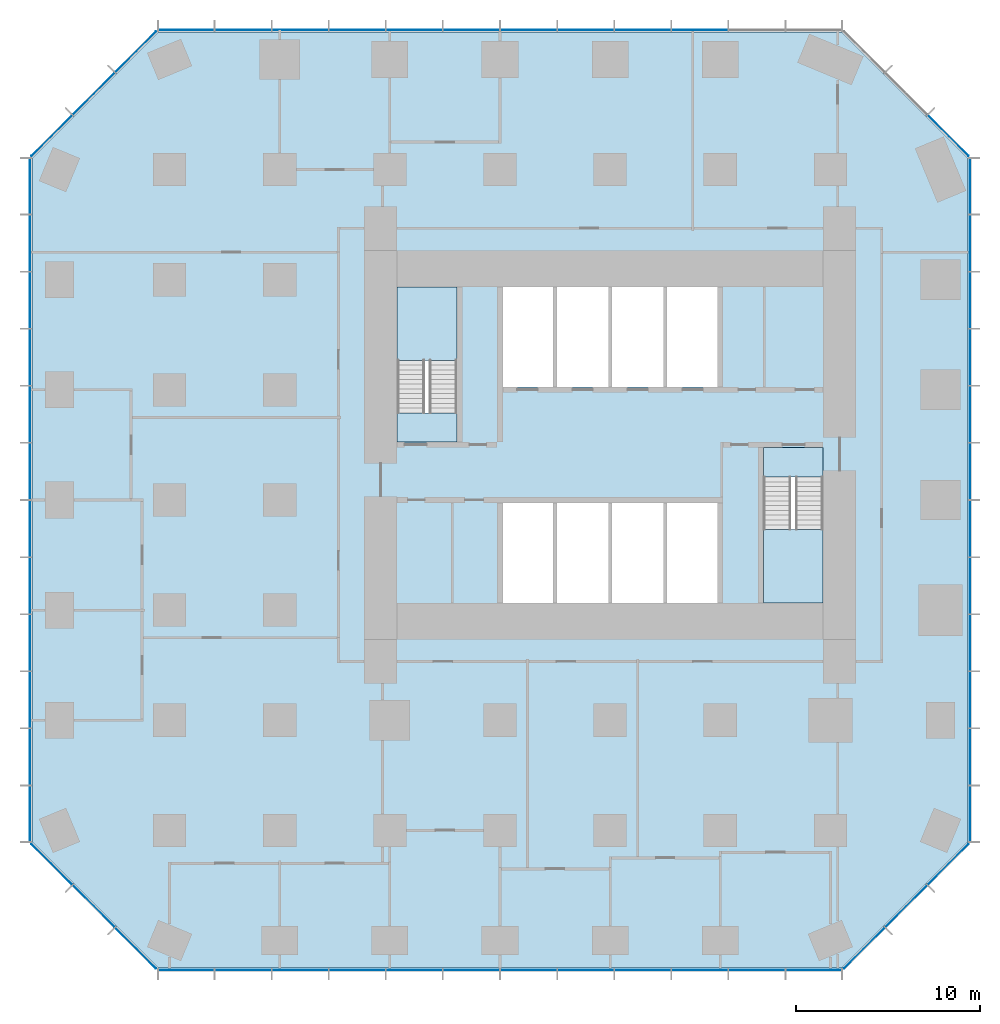
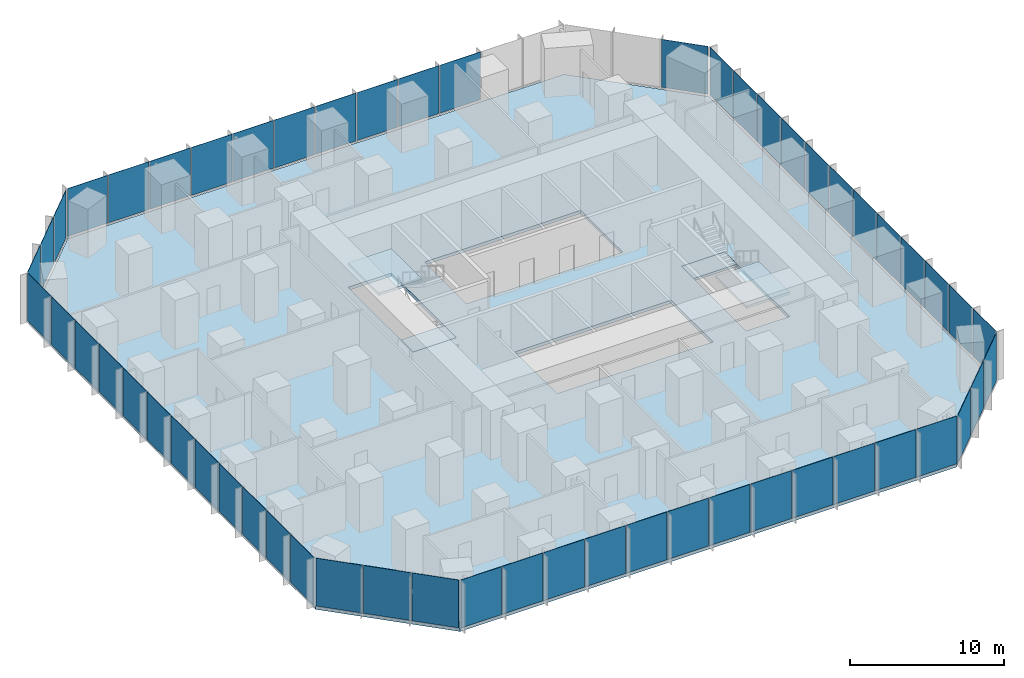
# One storey, part 7 of 12: 56 plates, 5 slabs, 10 elements without a shape of their own.
"""IFC4 building model written with IfcOpenShell, lengths in metres."""

from ifc_helpers import new_model, si_unit, direction, frame, origin, origin_2d, place, context, subcontext, project, spatial, polyline, rectangle, outline, extrude, material, layer, layer_set, type_object, element, aggregate, save


model = new_model("IFC4")

# Units and contexts
model_context = context("Model", 3, precision=1e-05, world=origin(), true_north=direction((0.0, 1.0)))
body_context = subcontext(model_context, "Body", "Model", "MODEL_VIEW")
ifc_project = project(units=[si_unit("LENGTHUNIT", "METRE"), si_unit("AREAUNIT", "SQUARE_METRE"), si_unit("VOLUMEUNIT", "CUBIC_METRE"), si_unit("PLANEANGLEUNIT", "RADIAN"), si_unit("MASSUNIT", "GRAM", prefix="KILO")], contexts=[model_context])

# Site, building, storey
site_placement = place(None, origin())
site = spatial("IfcSite", under=ifc_project, at=site_placement, CompositionType="ELEMENT")
building_placement = place(site_placement, origin())
building = spatial("IfcBuilding", under=site, at=building_placement, Name="Highveld Stack Headquarters", CompositionType="ELEMENT")
storey_placement = place(building_placement, frame((0.0, 0.0, 22.10009765625)))
storey = spatial("IfcBuildingStorey", under=building, at=storey_placement, Name="L04", CompositionType="ELEMENT", Elevation=22.10009765625)

# Curtain wall, plates
ifc_material_1 = material(Name="Aluminium bronze anodised", Category="aluminium")
ifc_layer_1 = layer(ifc_material_1, 0.199951171875)
ifc_layer_set_1 = layer_set([ifc_layer_1], Name="Aluminium bronze anodised")
curtain_wall_type_1 = type_object("IfcCurtainWallType", Name="CW1 TOWER UNITISED CURTAIN WALL", PredefinedType="NOTDEFINED", material=ifc_layer_set_1)
curtain_wall_1_placement = place(storey_placement, origin())
curtain_wall_1 = element("IfcCurtainWall", 1, at=curtain_wall_1_placement, inside=storey, type_object=curtain_wall_type_1, Name="Curtain wall CW1 L04 S", PredefinedType="NOTDEFINED")
ifc_material_2 = material(Name="Glass bronze tinted double glazed unit", Category="glass")
ifc_layer_2 = layer(ifc_material_2, 0.028076171875)
ifc_layer_set_2 = layer_set([ifc_layer_2], Name="Glass bronze tinted double glazed unit")
plate_type_1 = type_object("IfcPlateType", Name="CW1 PANEL BRONZE TINTED DOUBLE GLAZED UNIT", PredefinedType="CURTAIN_PANEL", material=ifc_layer_set_2)
plate_1_placement = place(storey_placement, frame((-17.09130859375, -25.60009765625, 0.10009765625), z_axis=(0.0, 0.0, 1.0), x_axis=(1.0, 0.0, 0.0)))
plate_1 = element("IfcPlate", 2, at=plate_1_placement, type_object=plate_type_1, Name="CW1 panel L04 1.1", PredefinedType="CURTAIN_PANEL", context=body_context, shape_type="SweptSolid", body=[
    extrude(rectangle(XDim=3.012939453125, YDim=0.028076171875, at=origin_2d()), origin(), (0.0, 0.0, 1.0), 3.800048828125),
])
plate_2_placement = place(storey_placement, frame((-13.9970703125, -25.60009765625, 0.10009765625), z_axis=(0.0, 0.0, 1.0), x_axis=(1.0, 0.0, 0.0)))
plate_2 = element("IfcPlate", 3, at=plate_2_placement, type_object=plate_type_1, Name="CW1 panel L04 2.1", PredefinedType="CURTAIN_PANEL", context=body_context, shape_type="SweptSolid", body=[
    extrude(rectangle(XDim=3.04541015625, YDim=0.028076171875, at=origin_2d()), origin(), (0.0, 0.0, 1.0), 3.800048828125),
])
plate_3_placement = place(storey_placement, frame((-10.88671875, -25.60009765625, 0.10009765625), z_axis=(0.0, 0.0, 1.0), x_axis=(1.0, 0.0, 0.0)))
plate_3 = element("IfcPlate", 4, at=plate_3_placement, type_object=plate_type_1, Name="CW1 panel L04 3.1", PredefinedType="CURTAIN_PANEL", context=body_context, shape_type="SweptSolid", body=[
    extrude(rectangle(XDim=3.04541015625, YDim=0.028076171875, at=origin_2d()), origin(), (0.0, 0.0, 1.0), 3.800048828125),
])
plate_4_placement = place(storey_placement, frame((-7.776123046875, -25.60009765625, 0.10009765625), z_axis=(0.0, 0.0, 1.0), x_axis=(1.0, 0.0, 0.0)))
plate_4 = element("IfcPlate", 5, at=plate_4_placement, type_object=plate_type_1, Name="CW1 panel L04 4.1", PredefinedType="CURTAIN_PANEL", context=body_context, shape_type="SweptSolid", body=[
    extrude(rectangle(XDim=3.04541015625, YDim=0.028076171875, at=origin_2d()), origin(), (0.0, 0.0, 1.0), 3.800048828125),
])
plate_5_placement = place(storey_placement, frame((-4.665771484375, -25.60009765625, 0.10009765625), z_axis=(0.0, 0.0, 1.0), x_axis=(1.0, 0.0, 0.0)))
plate_5 = element("IfcPlate", 6, at=plate_5_placement, type_object=plate_type_1, Name="CW1 panel L04 5.1", PredefinedType="CURTAIN_PANEL", context=body_context, shape_type="SweptSolid", body=[
    extrude(rectangle(XDim=3.04541015625, YDim=0.028076171875, at=origin_2d()), origin(), (0.0, 0.0, 1.0), 3.800048828125),
])
plate_6_placement = place(storey_placement, frame((-1.55517578125, -25.60009765625, 0.10009765625), z_axis=(0.0, 0.0, 1.0), x_axis=(1.0, 0.0, 0.0)))
plate_6 = element("IfcPlate", 7, at=plate_6_placement, type_object=plate_type_1, Name="CW1 panel L04 6.1", PredefinedType="CURTAIN_PANEL", context=body_context, shape_type="SweptSolid", body=[
    extrude(rectangle(XDim=3.04541015625, YDim=0.028076171875, at=origin_2d()), origin(), (0.0, 0.0, 1.0), 3.800048828125),
])
plate_7_placement = place(storey_placement, frame((1.55517578125, -25.60009765625, 0.10009765625), z_axis=(0.0, 0.0, 1.0), x_axis=(1.0, 0.0, 0.0)))
plate_7 = element("IfcPlate", 8, at=plate_7_placement, type_object=plate_type_1, Name="CW1 panel L04 7.1", PredefinedType="CURTAIN_PANEL", context=body_context, shape_type="SweptSolid", body=[
    extrude(rectangle(XDim=3.04541015625, YDim=0.028076171875, at=origin_2d()), origin(), (0.0, 0.0, 1.0), 3.800048828125),
])
plate_8_placement = place(storey_placement, frame((4.665771484375, -25.60009765625, 0.10009765625), z_axis=(0.0, 0.0, 1.0), x_axis=(1.0, 0.0, 0.0)))
plate_8 = element("IfcPlate", 9, at=plate_8_placement, type_object=plate_type_1, Name="CW1 panel L04 8.1", PredefinedType="CURTAIN_PANEL", context=body_context, shape_type="SweptSolid", body=[
    extrude(rectangle(XDim=3.04541015625, YDim=0.028076171875, at=origin_2d()), origin(), (0.0, 0.0, 1.0), 3.800048828125),
])
plate_9_placement = place(storey_placement, frame((7.776123046875, -25.60009765625, 0.10009765625), z_axis=(0.0, 0.0, 1.0), x_axis=(1.0, 0.0, 0.0)))
plate_9 = element("IfcPlate", 10, at=plate_9_placement, type_object=plate_type_1, Name="CW1 panel L04 9.1", PredefinedType="CURTAIN_PANEL", context=body_context, shape_type="SweptSolid", body=[
    extrude(rectangle(XDim=3.04541015625, YDim=0.028076171875, at=origin_2d()), origin(), (0.0, 0.0, 1.0), 3.800048828125),
])
plate_10_placement = place(storey_placement, frame((10.88671875, -25.60009765625, 0.10009765625), z_axis=(0.0, 0.0, 1.0), x_axis=(1.0, 0.0, 0.0)))
plate_10 = element("IfcPlate", 11, at=plate_10_placement, type_object=plate_type_1, Name="CW1 panel L04 10.1", PredefinedType="CURTAIN_PANEL", context=body_context, shape_type="SweptSolid", body=[
    extrude(rectangle(XDim=3.04541015625, YDim=0.028076171875, at=origin_2d()), origin(), (0.0, 0.0, 1.0), 3.800048828125),
])
plate_11_placement = place(storey_placement, frame((13.9970703125, -25.60009765625, 0.10009765625), z_axis=(0.0, 0.0, 1.0), x_axis=(1.0, 0.0, 0.0)))
plate_11 = element("IfcPlate", 12, at=plate_11_placement, type_object=plate_type_1, Name="CW1 panel L04 11.1", PredefinedType="CURTAIN_PANEL", context=body_context, shape_type="SweptSolid", body=[
    extrude(rectangle(XDim=3.04541015625, YDim=0.028076171875, at=origin_2d()), origin(), (0.0, 0.0, 1.0), 3.800048828125),
])
plate_12_placement = place(storey_placement, frame((17.09130859375, -25.60009765625, 0.10009765625), z_axis=(0.0, 0.0, 1.0), x_axis=(1.0, 0.0, 0.0)))
plate_12 = element("IfcPlate", 13, at=plate_12_placement, type_object=plate_type_1, Name="CW1 panel L04 12.1", PredefinedType="CURTAIN_PANEL", context=body_context, shape_type="SweptSolid", body=[
    extrude(rectangle(XDim=3.012939453125, YDim=0.028076171875, at=origin_2d()), origin(), (0.0, 0.0, 1.0), 3.800048828125),
])
aggregate(curtain_wall_1, [plate_1, plate_2, plate_3, plate_4, plate_5, plate_6, plate_7, plate_8, plate_9, plate_10, plate_11, plate_12])

curtain_wall_2_placement = place(storey_placement, origin())
curtain_wall_2 = element("IfcCurtainWall", 14, at=curtain_wall_2_placement, inside=storey, type_object=curtain_wall_type_1, Name="Curtain wall CW1 L04 E", PredefinedType="NOTDEFINED")
plate_13_placement = place(storey_placement, frame((25.60009765625, -17.09130859375, 0.10009765625), z_axis=(0.0, 0.0, 1.0), x_axis=(0.0, 1.0, 0.0)))
plate_13 = element("IfcPlate", 15, at=plate_13_placement, type_object=plate_type_1, Name="CW1 panel L04 1.1", PredefinedType="CURTAIN_PANEL", context=body_context, shape_type="SweptSolid", body=[
    extrude(rectangle(XDim=3.012939453125, YDim=0.028076171875, at=origin_2d()), origin(), (0.0, 0.0, 1.0), 3.800048828125),
])
plate_14_placement = place(storey_placement, frame((25.60009765625, -13.9970703125, 0.10009765625), z_axis=(0.0, 0.0, 1.0), x_axis=(0.0, 1.0, 0.0)))
plate_14 = element("IfcPlate", 16, at=plate_14_placement, type_object=plate_type_1, Name="CW1 panel L04 2.1", PredefinedType="CURTAIN_PANEL", context=body_context, shape_type="SweptSolid", body=[
    extrude(rectangle(XDim=3.04541015625, YDim=0.028076171875, at=origin_2d()), origin(), (0.0, 0.0, 1.0), 3.800048828125),
])
plate_15_placement = place(storey_placement, frame((25.60009765625, -10.88671875, 0.10009765625), z_axis=(0.0, 0.0, 1.0), x_axis=(0.0, 1.0, 0.0)))
plate_15 = element("IfcPlate", 17, at=plate_15_placement, type_object=plate_type_1, Name="CW1 panel L04 3.1", PredefinedType="CURTAIN_PANEL", context=body_context, shape_type="SweptSolid", body=[
    extrude(rectangle(XDim=3.04541015625, YDim=0.028076171875, at=origin_2d()), origin(), (0.0, 0.0, 1.0), 3.800048828125),
])
plate_16_placement = place(storey_placement, frame((25.60009765625, -7.776123046875, 0.10009765625), z_axis=(0.0, 0.0, 1.0), x_axis=(0.0, 1.0, 0.0)))
plate_16 = element("IfcPlate", 18, at=plate_16_placement, type_object=plate_type_1, Name="CW1 panel L04 4.1", PredefinedType="CURTAIN_PANEL", context=body_context, shape_type="SweptSolid", body=[
    extrude(rectangle(XDim=3.04541015625, YDim=0.028076171875, at=origin_2d()), origin(), (0.0, 0.0, 1.0), 3.800048828125),
])
plate_17_placement = place(storey_placement, frame((25.60009765625, -4.665771484375, 0.10009765625), z_axis=(0.0, 0.0, 1.0), x_axis=(0.0, 1.0, 0.0)))
plate_17 = element("IfcPlate", 19, at=plate_17_placement, type_object=plate_type_1, Name="CW1 panel L04 5.1", PredefinedType="CURTAIN_PANEL", context=body_context, shape_type="SweptSolid", body=[
    extrude(rectangle(XDim=3.04541015625, YDim=0.028076171875, at=origin_2d()), origin(), (0.0, 0.0, 1.0), 3.800048828125),
])
plate_18_placement = place(storey_placement, frame((25.60009765625, -1.55517578125, 0.10009765625), z_axis=(0.0, 0.0, 1.0), x_axis=(0.0, 1.0, 0.0)))
plate_18 = element("IfcPlate", 20, at=plate_18_placement, type_object=plate_type_1, Name="CW1 panel L04 6.1", PredefinedType="CURTAIN_PANEL", context=body_context, shape_type="SweptSolid", body=[
    extrude(rectangle(XDim=3.04541015625, YDim=0.028076171875, at=origin_2d()), origin(), (0.0, 0.0, 1.0), 3.800048828125),
])
plate_19_placement = place(storey_placement, frame((25.60009765625, 1.55517578125, 0.10009765625), z_axis=(0.0, 0.0, 1.0), x_axis=(0.0, 1.0, 0.0)))
plate_19 = element("IfcPlate", 21, at=plate_19_placement, type_object=plate_type_1, Name="CW1 panel L04 7.1", PredefinedType="CURTAIN_PANEL", context=body_context, shape_type="SweptSolid", body=[
    extrude(rectangle(XDim=3.04541015625, YDim=0.028076171875, at=origin_2d()), origin(), (0.0, 0.0, 1.0), 3.800048828125),
])
plate_20_placement = place(storey_placement, frame((25.60009765625, 4.665771484375, 0.10009765625), z_axis=(0.0, 0.0, 1.0), x_axis=(0.0, 1.0, 0.0)))
plate_20 = element("IfcPlate", 22, at=plate_20_placement, type_object=plate_type_1, Name="CW1 panel L04 8.1", PredefinedType="CURTAIN_PANEL", context=body_context, shape_type="SweptSolid", body=[
    extrude(rectangle(XDim=3.04541015625, YDim=0.028076171875, at=origin_2d()), origin(), (0.0, 0.0, 1.0), 3.800048828125),
])
plate_21_placement = place(storey_placement, frame((25.60009765625, 7.776123046875, 0.10009765625), z_axis=(0.0, 0.0, 1.0), x_axis=(0.0, 1.0, 0.0)))
plate_21 = element("IfcPlate", 23, at=plate_21_placement, type_object=plate_type_1, Name="CW1 panel L04 9.1", PredefinedType="CURTAIN_PANEL", context=body_context, shape_type="SweptSolid", body=[
    extrude(rectangle(XDim=3.04541015625, YDim=0.028076171875, at=origin_2d()), origin(), (0.0, 0.0, 1.0), 3.800048828125),
])
plate_22_placement = place(storey_placement, frame((25.60009765625, 10.88671875, 0.10009765625), z_axis=(0.0, 0.0, 1.0), x_axis=(0.0, 1.0, 0.0)))
plate_22 = element("IfcPlate", 24, at=plate_22_placement, type_object=plate_type_1, Name="CW1 panel L04 10.1", PredefinedType="CURTAIN_PANEL", context=body_context, shape_type="SweptSolid", body=[
    extrude(rectangle(XDim=3.04541015625, YDim=0.028076171875, at=origin_2d()), origin(), (0.0, 0.0, 1.0), 3.800048828125),
])
plate_23_placement = place(storey_placement, frame((25.60009765625, 13.9970703125, 0.10009765625), z_axis=(0.0, 0.0, 1.0), x_axis=(0.0, 1.0, 0.0)))
plate_23 = element("IfcPlate", 25, at=plate_23_placement, type_object=plate_type_1, Name="CW1 panel L04 11.1", PredefinedType="CURTAIN_PANEL", context=body_context, shape_type="SweptSolid", body=[
    extrude(rectangle(XDim=3.04541015625, YDim=0.028076171875, at=origin_2d()), origin(), (0.0, 0.0, 1.0), 3.800048828125),
])
plate_24_placement = place(storey_placement, frame((25.60009765625, 17.09130859375, 0.10009765625), z_axis=(0.0, 0.0, 1.0), x_axis=(0.0, 1.0, 0.0)))
plate_24 = element("IfcPlate", 26, at=plate_24_placement, type_object=plate_type_1, Name="CW1 panel L04 12.1", PredefinedType="CURTAIN_PANEL", context=body_context, shape_type="SweptSolid", body=[
    extrude(rectangle(XDim=3.012939453125, YDim=0.028076171875, at=origin_2d()), origin(), (0.0, 0.0, 1.0), 3.800048828125),
])
aggregate(curtain_wall_2, [plate_13, plate_14, plate_15, plate_16, plate_17, plate_18, plate_19, plate_20, plate_21, plate_22, plate_23, plate_24])

curtain_wall_3_placement = place(storey_placement, origin())
curtain_wall_3 = element("IfcCurtainWall", 27, at=curtain_wall_3_placement, inside=storey, type_object=curtain_wall_type_1, Name="Curtain wall CW1 L04 N", PredefinedType="NOTDEFINED")
plate_25_placement = place(storey_placement, frame((10.88671875, 25.60009765625, 0.10009765625), z_axis=(0.0, 0.0, 1.0), x_axis=(-1.0, 0.0, 0.0)))
plate_25 = element("IfcPlate", 28, at=plate_25_placement, type_object=plate_type_1, Name="CW1 panel L04 3.1", PredefinedType="CURTAIN_PANEL", context=body_context, shape_type="SweptSolid", body=[
    extrude(rectangle(XDim=3.04541015625, YDim=0.028076171875, at=origin_2d()), origin(), (0.0, 0.0, 1.0), 3.800048828125),
])
plate_26_placement = place(storey_placement, frame((7.776123046875, 25.60009765625, 0.10009765625), z_axis=(0.0, 0.0, 1.0), x_axis=(-1.0, 0.0, 0.0)))
plate_26 = element("IfcPlate", 29, at=plate_26_placement, type_object=plate_type_1, Name="CW1 panel L04 4.1", PredefinedType="CURTAIN_PANEL", context=body_context, shape_type="SweptSolid", body=[
    extrude(rectangle(XDim=3.04541015625, YDim=0.028076171875, at=origin_2d()), origin(), (0.0, 0.0, 1.0), 3.800048828125),
])
plate_27_placement = place(storey_placement, frame((4.665771484375, 25.60009765625, 0.10009765625), z_axis=(0.0, 0.0, 1.0), x_axis=(-1.0, 0.0, 0.0)))
plate_27 = element("IfcPlate", 30, at=plate_27_placement, type_object=plate_type_1, Name="CW1 panel L04 5.1", PredefinedType="CURTAIN_PANEL", context=body_context, shape_type="SweptSolid", body=[
    extrude(rectangle(XDim=3.04541015625, YDim=0.028076171875, at=origin_2d()), origin(), (0.0, 0.0, 1.0), 3.800048828125),
])
plate_28_placement = place(storey_placement, frame((1.55517578125, 25.60009765625, 0.10009765625), z_axis=(0.0, 0.0, 1.0), x_axis=(-1.0, 0.0, 0.0)))
plate_28 = element("IfcPlate", 31, at=plate_28_placement, type_object=plate_type_1, Name="CW1 panel L04 6.1", PredefinedType="CURTAIN_PANEL", context=body_context, shape_type="SweptSolid", body=[
    extrude(rectangle(XDim=3.04541015625, YDim=0.028076171875, at=origin_2d()), origin(), (0.0, 0.0, 1.0), 3.800048828125),
])
plate_29_placement = place(storey_placement, frame((-1.55517578125, 25.60009765625, 0.10009765625), z_axis=(0.0, 0.0, 1.0), x_axis=(-1.0, 0.0, 0.0)))
plate_29 = element("IfcPlate", 32, at=plate_29_placement, type_object=plate_type_1, Name="CW1 panel L04 7.1", PredefinedType="CURTAIN_PANEL", context=body_context, shape_type="SweptSolid", body=[
    extrude(rectangle(XDim=3.04541015625, YDim=0.028076171875, at=origin_2d()), origin(), (0.0, 0.0, 1.0), 3.800048828125),
])
plate_30_placement = place(storey_placement, frame((-4.665771484375, 25.60009765625, 0.10009765625), z_axis=(0.0, 0.0, 1.0), x_axis=(-1.0, 0.0, 0.0)))
plate_30 = element("IfcPlate", 33, at=plate_30_placement, type_object=plate_type_1, Name="CW1 panel L04 8.1", PredefinedType="CURTAIN_PANEL", context=body_context, shape_type="SweptSolid", body=[
    extrude(rectangle(XDim=3.04541015625, YDim=0.028076171875, at=origin_2d()), origin(), (0.0, 0.0, 1.0), 3.800048828125),
])
plate_31_placement = place(storey_placement, frame((-7.776123046875, 25.60009765625, 0.10009765625), z_axis=(0.0, 0.0, 1.0), x_axis=(-1.0, 0.0, 0.0)))
plate_31 = element("IfcPlate", 34, at=plate_31_placement, type_object=plate_type_1, Name="CW1 panel L04 9.1", PredefinedType="CURTAIN_PANEL", context=body_context, shape_type="SweptSolid", body=[
    extrude(rectangle(XDim=3.04541015625, YDim=0.028076171875, at=origin_2d()), origin(), (0.0, 0.0, 1.0), 3.800048828125),
])
plate_32_placement = place(storey_placement, frame((-10.88671875, 25.60009765625, 0.10009765625), z_axis=(0.0, 0.0, 1.0), x_axis=(-1.0, 0.0, 0.0)))
plate_32 = element("IfcPlate", 35, at=plate_32_placement, type_object=plate_type_1, Name="CW1 panel L04 10.1", PredefinedType="CURTAIN_PANEL", context=body_context, shape_type="SweptSolid", body=[
    extrude(rectangle(XDim=3.04541015625, YDim=0.028076171875, at=origin_2d()), origin(), (0.0, 0.0, 1.0), 3.800048828125),
])
plate_33_placement = place(storey_placement, frame((-13.9970703125, 25.60009765625, 0.10009765625), z_axis=(0.0, 0.0, 1.0), x_axis=(-1.0, 0.0, 0.0)))
plate_33 = element("IfcPlate", 36, at=plate_33_placement, type_object=plate_type_1, Name="CW1 panel L04 11.1", PredefinedType="CURTAIN_PANEL", context=body_context, shape_type="SweptSolid", body=[
    extrude(rectangle(XDim=3.04541015625, YDim=0.028076171875, at=origin_2d()), origin(), (0.0, 0.0, 1.0), 3.800048828125),
])
plate_34_placement = place(storey_placement, frame((-17.09130859375, 25.60009765625, 0.10009765625), z_axis=(0.0, 0.0, 1.0), x_axis=(-1.0, 0.0, 0.0)))
plate_34 = element("IfcPlate", 37, at=plate_34_placement, type_object=plate_type_1, Name="CW1 panel L04 12.1", PredefinedType="CURTAIN_PANEL", context=body_context, shape_type="SweptSolid", body=[
    extrude(rectangle(XDim=3.012939453125, YDim=0.028076171875, at=origin_2d()), origin(), (0.0, 0.0, 1.0), 3.800048828125),
])
aggregate(curtain_wall_3, [plate_25, plate_26, plate_27, plate_28, plate_29, plate_30, plate_31, plate_32, plate_33, plate_34])

curtain_wall_4_placement = place(storey_placement, origin())
curtain_wall_4 = element("IfcCurtainWall", 38, at=curtain_wall_4_placement, inside=storey, type_object=curtain_wall_type_1, Name="Curtain wall CW1 L04 W", PredefinedType="NOTDEFINED")
plate_35_placement = place(storey_placement, frame((-25.60009765625, 17.09130859375, 0.10009765625), z_axis=(0.0, 0.0, 1.0), x_axis=(0.0, -1.0, 0.0)))
plate_35 = element("IfcPlate", 39, at=plate_35_placement, type_object=plate_type_1, Name="CW1 panel L04 1.1", PredefinedType="CURTAIN_PANEL", context=body_context, shape_type="SweptSolid", body=[
    extrude(rectangle(XDim=3.012939453125, YDim=0.028076171875, at=origin_2d()), origin(), (0.0, 0.0, 1.0), 3.800048828125),
])
plate_36_placement = place(storey_placement, frame((-25.60009765625, 13.9970703125, 0.10009765625), z_axis=(0.0, 0.0, 1.0), x_axis=(0.0, -1.0, 0.0)))
plate_36 = element("IfcPlate", 40, at=plate_36_placement, type_object=plate_type_1, Name="CW1 panel L04 2.1", PredefinedType="CURTAIN_PANEL", context=body_context, shape_type="SweptSolid", body=[
    extrude(rectangle(XDim=3.04541015625, YDim=0.028076171875, at=origin_2d()), origin(), (0.0, 0.0, 1.0), 3.800048828125),
])
plate_37_placement = place(storey_placement, frame((-25.60009765625, 10.88671875, 0.10009765625), z_axis=(0.0, 0.0, 1.0), x_axis=(0.0, -1.0, 0.0)))
plate_37 = element("IfcPlate", 41, at=plate_37_placement, type_object=plate_type_1, Name="CW1 panel L04 3.1", PredefinedType="CURTAIN_PANEL", context=body_context, shape_type="SweptSolid", body=[
    extrude(rectangle(XDim=3.04541015625, YDim=0.028076171875, at=origin_2d()), origin(), (0.0, 0.0, 1.0), 3.800048828125),
])
plate_38_placement = place(storey_placement, frame((-25.60009765625, 7.776123046875, 0.10009765625), z_axis=(0.0, 0.0, 1.0), x_axis=(0.0, -1.0, 0.0)))
plate_38 = element("IfcPlate", 42, at=plate_38_placement, type_object=plate_type_1, Name="CW1 panel L04 4.1", PredefinedType="CURTAIN_PANEL", context=body_context, shape_type="SweptSolid", body=[
    extrude(rectangle(XDim=3.04541015625, YDim=0.028076171875, at=origin_2d()), origin(), (0.0, 0.0, 1.0), 3.800048828125),
])
plate_39_placement = place(storey_placement, frame((-25.60009765625, 4.665771484375, 0.10009765625), z_axis=(0.0, 0.0, 1.0), x_axis=(0.0, -1.0, 0.0)))
plate_39 = element("IfcPlate", 43, at=plate_39_placement, type_object=plate_type_1, Name="CW1 panel L04 5.1", PredefinedType="CURTAIN_PANEL", context=body_context, shape_type="SweptSolid", body=[
    extrude(rectangle(XDim=3.04541015625, YDim=0.028076171875, at=origin_2d()), origin(), (0.0, 0.0, 1.0), 3.800048828125),
])
plate_40_placement = place(storey_placement, frame((-25.60009765625, 1.55517578125, 0.10009765625), z_axis=(0.0, 0.0, 1.0), x_axis=(0.0, -1.0, 0.0)))
plate_40 = element("IfcPlate", 44, at=plate_40_placement, type_object=plate_type_1, Name="CW1 panel L04 6.1", PredefinedType="CURTAIN_PANEL", context=body_context, shape_type="SweptSolid", body=[
    extrude(rectangle(XDim=3.04541015625, YDim=0.028076171875, at=origin_2d()), origin(), (0.0, 0.0, 1.0), 3.800048828125),
])
plate_41_placement = place(storey_placement, frame((-25.60009765625, -1.55517578125, 0.10009765625), z_axis=(0.0, 0.0, 1.0), x_axis=(0.0, -1.0, 0.0)))
plate_41 = element("IfcPlate", 45, at=plate_41_placement, type_object=plate_type_1, Name="CW1 panel L04 7.1", PredefinedType="CURTAIN_PANEL", context=body_context, shape_type="SweptSolid", body=[
    extrude(rectangle(XDim=3.04541015625, YDim=0.028076171875, at=origin_2d()), origin(), (0.0, 0.0, 1.0), 3.800048828125),
])
plate_42_placement = place(storey_placement, frame((-25.60009765625, -4.665771484375, 0.10009765625), z_axis=(0.0, 0.0, 1.0), x_axis=(0.0, -1.0, 0.0)))
plate_42 = element("IfcPlate", 46, at=plate_42_placement, type_object=plate_type_1, Name="CW1 panel L04 8.1", PredefinedType="CURTAIN_PANEL", context=body_context, shape_type="SweptSolid", body=[
    extrude(rectangle(XDim=3.04541015625, YDim=0.028076171875, at=origin_2d()), origin(), (0.0, 0.0, 1.0), 3.800048828125),
])
plate_43_placement = place(storey_placement, frame((-25.60009765625, -7.776123046875, 0.10009765625), z_axis=(0.0, 0.0, 1.0), x_axis=(0.0, -1.0, 0.0)))
plate_43 = element("IfcPlate", 47, at=plate_43_placement, type_object=plate_type_1, Name="CW1 panel L04 9.1", PredefinedType="CURTAIN_PANEL", context=body_context, shape_type="SweptSolid", body=[
    extrude(rectangle(XDim=3.04541015625, YDim=0.028076171875, at=origin_2d()), origin(), (0.0, 0.0, 1.0), 3.800048828125),
])
plate_44_placement = place(storey_placement, frame((-25.60009765625, -10.88671875, 0.10009765625), z_axis=(0.0, 0.0, 1.0), x_axis=(0.0, -1.0, 0.0)))
plate_44 = element("IfcPlate", 48, at=plate_44_placement, type_object=plate_type_1, Name="CW1 panel L04 10.1", PredefinedType="CURTAIN_PANEL", context=body_context, shape_type="SweptSolid", body=[
    extrude(rectangle(XDim=3.04541015625, YDim=0.028076171875, at=origin_2d()), origin(), (0.0, 0.0, 1.0), 3.800048828125),
])
plate_45_placement = place(storey_placement, frame((-25.60009765625, -13.9970703125, 0.10009765625), z_axis=(0.0, 0.0, 1.0), x_axis=(0.0, -1.0, 0.0)))
plate_45 = element("IfcPlate", 49, at=plate_45_placement, type_object=plate_type_1, Name="CW1 panel L04 11.1", PredefinedType="CURTAIN_PANEL", context=body_context, shape_type="SweptSolid", body=[
    extrude(rectangle(XDim=3.04541015625, YDim=0.028076171875, at=origin_2d()), origin(), (0.0, 0.0, 1.0), 3.800048828125),
])
plate_46_placement = place(storey_placement, frame((-25.60009765625, -17.09130859375, 0.10009765625), z_axis=(0.0, 0.0, 1.0), x_axis=(0.0, -1.0, 0.0)))
plate_46 = element("IfcPlate", 50, at=plate_46_placement, type_object=plate_type_1, Name="CW1 panel L04 12.1", PredefinedType="CURTAIN_PANEL", context=body_context, shape_type="SweptSolid", body=[
    extrude(rectangle(XDim=3.012939453125, YDim=0.028076171875, at=origin_2d()), origin(), (0.0, 0.0, 1.0), 3.800048828125),
])
aggregate(curtain_wall_4, [plate_35, plate_36, plate_37, plate_38, plate_39, plate_40, plate_41, plate_42, plate_43, plate_44, plate_45, plate_46])

ifc_material_3 = material(Name="Aluminium bronze anodised", Category="aluminium")
ifc_layer_3 = layer(ifc_material_3, 0.199951171875)
ifc_layer_set_3 = layer_set([ifc_layer_3], Name="Aluminium bronze anodised")
curtain_wall_type_2 = type_object("IfcCurtainWallType", Name="CW2 TOWER CHAMFER UNITISED CURTAIN WALL", PredefinedType="NOTDEFINED", material=ifc_layer_set_3)
curtain_wall_5_placement = place(storey_placement, origin())
curtain_wall_5 = element("IfcCurtainWall", 51, at=curtain_wall_5_placement, inside=storey, type_object=curtain_wall_type_2, Name="Curtain wall CW2 L04 SE", PredefinedType="NOTDEFINED")
ifc_material_4 = material(Name="Glass bronze tinted double glazed unit", Category="glass")
ifc_layer_4 = layer(ifc_material_4, 0.028076171875)
ifc_layer_set_4 = layer_set([ifc_layer_4], Name="Glass bronze tinted double glazed unit")
plate_type_2 = type_object("IfcPlateType", Name="CW2 PANEL BRONZE TINTED DOUBLE GLAZED UNIT", PredefinedType="CURTAIN_PANEL", material=ifc_layer_set_4)
plate_47_placement = place(storey_placement, frame((19.8427734375, -24.419921875, 0.10009765625), z_axis=(0.0, 0.0, 1.0), x_axis=(0.707106781187, 0.707106781187, 0.0)))
plate_47 = element("IfcPlate", 52, at=plate_47_placement, type_object=plate_type_2, Name="CW2 panel L04 1.1", PredefinedType="CURTAIN_PANEL", context=body_context, shape_type="SweptSolid", body=[
    extrude(rectangle(XDim=3.1376953125, YDim=0.028076171875, at=origin_2d()), origin(), (0.0, 0.0, 1.0), 3.800048828125),
])
plate_48_placement = place(storey_placement, frame((22.13134765625, -22.13134765625, 0.10009765625), z_axis=(0.0, 0.0, 1.0), x_axis=(0.707106781187, 0.707106781187, 0.0)))
plate_48 = element("IfcPlate", 53, at=plate_48_placement, type_object=plate_type_2, Name="CW2 panel L04 2.1", PredefinedType="CURTAIN_PANEL", context=body_context, shape_type="SweptSolid", body=[
    extrude(rectangle(XDim=3.205322265625, YDim=0.028076171875, at=origin_2d()), origin(), (0.0, 0.0, 1.0), 3.800048828125),
])
plate_49_placement = place(storey_placement, frame((24.419921875, -19.8427734375, 0.10009765625), z_axis=(0.0, 0.0, 1.0), x_axis=(0.707106781187, 0.707106781187, 0.0)))
plate_49 = element("IfcPlate", 54, at=plate_49_placement, type_object=plate_type_2, Name="CW2 panel L04 3.1", PredefinedType="CURTAIN_PANEL", context=body_context, shape_type="SweptSolid", body=[
    extrude(rectangle(XDim=3.1376953125, YDim=0.028076171875, at=origin_2d()), origin(), (0.0, 0.0, 1.0), 3.800048828125),
])
aggregate(curtain_wall_5, [plate_47, plate_48, plate_49])

# Curtain wall, plate
curtain_wall_6_placement = place(storey_placement, origin())
curtain_wall_6 = element("IfcCurtainWall", 55, at=curtain_wall_6_placement, inside=storey, type_object=curtain_wall_type_2, Name="Curtain wall CW2 L04 NE", PredefinedType="NOTDEFINED")
plate_50_placement = place(storey_placement, frame((24.419921875, 19.8427734375, 0.10009765625), z_axis=(0.0, 0.0, 1.0), x_axis=(-0.707106781187, 0.707106781187, 0.0)))
plate_50 = element("IfcPlate", 56, at=plate_50_placement, type_object=plate_type_2, Name="CW2 panel L04 1.1", PredefinedType="CURTAIN_PANEL", context=body_context, shape_type="SweptSolid", body=[
    extrude(rectangle(XDim=3.1376953125, YDim=0.028076171875, at=origin_2d()), origin(), (0.0, 0.0, 1.0), 3.800048828125),
])
aggregate(curtain_wall_6, [plate_50])

# Curtain wall, plates
curtain_wall_7_placement = place(storey_placement, origin())
curtain_wall_7 = element("IfcCurtainWall", 57, at=curtain_wall_7_placement, inside=storey, type_object=curtain_wall_type_2, Name="Curtain wall CW2 L04 NW", PredefinedType="NOTDEFINED")
plate_51_placement = place(storey_placement, frame((-19.8427734375, 24.419921875, 0.10009765625), z_axis=(0.0, 0.0, 1.0), x_axis=(-0.707106781187, -0.707106781187, 0.0)))
plate_51 = element("IfcPlate", 58, at=plate_51_placement, type_object=plate_type_2, Name="CW2 panel L04 1.1", PredefinedType="CURTAIN_PANEL", context=body_context, shape_type="SweptSolid", body=[
    extrude(rectangle(XDim=3.1376953125, YDim=0.028076171875, at=origin_2d()), origin(), (0.0, 0.0, 1.0), 3.800048828125),
])
plate_52_placement = place(storey_placement, frame((-22.13134765625, 22.13134765625, 0.10009765625), z_axis=(0.0, 0.0, 1.0), x_axis=(-0.707106781187, -0.707106781187, 0.0)))
plate_52 = element("IfcPlate", 59, at=plate_52_placement, type_object=plate_type_2, Name="CW2 panel L04 2.1", PredefinedType="CURTAIN_PANEL", context=body_context, shape_type="SweptSolid", body=[
    extrude(rectangle(XDim=3.205322265625, YDim=0.028076171875, at=origin_2d()), origin(), (0.0, 0.0, 1.0), 3.800048828125),
])
plate_53_placement = place(storey_placement, frame((-24.419921875, 19.8427734375, 0.10009765625), z_axis=(0.0, 0.0, 1.0), x_axis=(-0.707106781187, -0.707106781187, 0.0)))
plate_53 = element("IfcPlate", 60, at=plate_53_placement, type_object=plate_type_2, Name="CW2 panel L04 3.1", PredefinedType="CURTAIN_PANEL", context=body_context, shape_type="SweptSolid", body=[
    extrude(rectangle(XDim=3.1376953125, YDim=0.028076171875, at=origin_2d()), origin(), (0.0, 0.0, 1.0), 3.800048828125),
])
aggregate(curtain_wall_7, [plate_51, plate_52, plate_53])

curtain_wall_8_placement = place(storey_placement, origin())
curtain_wall_8 = element("IfcCurtainWall", 61, at=curtain_wall_8_placement, inside=storey, type_object=curtain_wall_type_2, Name="Curtain wall CW2 L04 SW", PredefinedType="NOTDEFINED")
plate_54_placement = place(storey_placement, frame((-24.419921875, -19.8427734375, 0.10009765625), z_axis=(0.0, 0.0, 1.0), x_axis=(0.707106781187, -0.707106781187, 0.0)))
plate_54 = element("IfcPlate", 62, at=plate_54_placement, type_object=plate_type_2, Name="CW2 panel L04 1.1", PredefinedType="CURTAIN_PANEL", context=body_context, shape_type="SweptSolid", body=[
    extrude(rectangle(XDim=3.1376953125, YDim=0.028076171875, at=origin_2d()), origin(), (0.0, 0.0, 1.0), 3.800048828125),
])
plate_55_placement = place(storey_placement, frame((-22.13134765625, -22.13134765625, 0.10009765625), z_axis=(0.0, 0.0, 1.0), x_axis=(0.707106781187, -0.707106781187, 0.0)))
plate_55 = element("IfcPlate", 63, at=plate_55_placement, type_object=plate_type_2, Name="CW2 panel L04 2.1", PredefinedType="CURTAIN_PANEL", context=body_context, shape_type="SweptSolid", body=[
    extrude(rectangle(XDim=3.205322265625, YDim=0.028076171875, at=origin_2d()), origin(), (0.0, 0.0, 1.0), 3.800048828125),
])
plate_56_placement = place(storey_placement, frame((-19.8427734375, -24.419921875, 0.10009765625), z_axis=(0.0, 0.0, 1.0), x_axis=(0.707106781187, -0.707106781187, 0.0)))
plate_56 = element("IfcPlate", 64, at=plate_56_placement, type_object=plate_type_2, Name="CW2 panel L04 3.1", PredefinedType="CURTAIN_PANEL", context=body_context, shape_type="SweptSolid", body=[
    extrude(rectangle(XDim=3.1376953125, YDim=0.028076171875, at=origin_2d()), origin(), (0.0, 0.0, 1.0), 3.800048828125),
])
aggregate(curtain_wall_8, [plate_54, plate_55, plate_56])

# Slab
ifc_material_5 = material(Name="Concrete C60/75", Category="concrete")
ifc_layer_5 = layer(ifc_material_5, 0.25)
ifc_layer_set_5 = layer_set([ifc_layer_5], Name="Concrete C60/75")
slab_type_1 = type_object("IfcSlabType", Name="PT FLAT SLAB 250", PredefinedType="FLOOR", material=ifc_layer_set_5)
slab_1_placement = place(storey_placement, frame((0.0, 0.0, -0.25)))
element("IfcSlab", 65, at=slab_1_placement, inside=storey, type_object=slab_type_1, Name="Floor slab L04", PredefinedType="FLOOR", context=body_context, shape_type="SweptSolid", body=[
    extrude(outline(polyline([(-18.621337890625, -25.5), (18.621337890625, -25.5), (25.5, -18.621337890625), (25.5, 18.621337890625), (18.621337890625, 25.5), (-18.621337890625, 25.5), (-25.5, 18.621337890625), (-25.5, -18.621337890625), (-18.621337890625, -25.5)]), holes=[polyline([(0.14990234375, 6.14990234375), (11.85009765625, 6.14990234375), (11.85009765625, 11.60009765625), (0.14990234375, 11.60009765625), (0.14990234375, 6.14990234375)]), polyline([(0.14990234375, -5.60009765625), (11.85009765625, -5.60009765625), (11.85009765625, -0.14990234375), (0.14990234375, -0.14990234375), (0.14990234375, -5.60009765625)]), polyline([(-5.60009765625, 3.14990234375), (-2.35009765625, 3.14990234375), (-2.35009765625, 11.60009765625), (-5.60009765625, 11.60009765625), (-5.60009765625, 3.14990234375)]), polyline([(14.35009765625, -5.60009765625), (17.60009765625, -5.60009765625), (17.60009765625, 2.85009765625), (14.35009765625, 2.85009765625), (14.35009765625, -5.60009765625)])]), origin(), (0.0, 0.0, 1.0), 0.25),
])

# Stair, slabs
ifc_material_6 = material(Name="Concrete C40/50, precast", Category="concrete")
stair_type_1 = type_object("IfcStairType", Name="STAIR S1 HALF TURN 1500", PredefinedType="HALF_TURN_STAIR", material=ifc_material_6)
stair_1_placement = place(storey_placement, origin())
stair_1 = element("IfcStair", 66, at=stair_1_placement, inside=storey, type_object=stair_type_1, Name="Stair S1 L04", PredefinedType="HALF_TURN_STAIR")
ifc_material_7 = material(Name="Concrete C40/50, precast", Category="concrete")
ifc_layer_6 = layer(ifc_material_7, 0.199951171875)
ifc_layer_set_6 = layer_set([ifc_layer_6], Name="Concrete C40/50, precast")
slab_type_2 = type_object("IfcSlabType", Name="STAIR LANDING 200", PredefinedType="LANDING", material=ifc_layer_set_6)
slab_2_placement = place(storey_placement, frame((0.0, 0.0, 1.75)))
slab_2 = element("IfcSlab", 67, at=slab_2_placement, type_object=slab_type_2, Name="S1 landing 1", PredefinedType="LANDING", context=body_context, shape_type="SweptSolid", body=[
    extrude(outline(polyline([(-5.60009765625, 7.610107421875), (-2.35009765625, 7.610107421875), (-2.35009765625, 11.60009765625), (-5.60009765625, 11.60009765625), (-5.60009765625, 7.610107421875)])), origin(), (0.0, 0.0, 1.0), 0.199951171875),
])
slab_3_placement = place(storey_placement, frame((0.0, 0.0, -0.2001953125)))
slab_3 = element("IfcSlab", 68, at=slab_3_placement, type_object=slab_type_2, Name="S1 landing 2", PredefinedType="LANDING", context=body_context, shape_type="SweptSolid", body=[
    extrude(outline(polyline([(-5.60009765625, 3.14990234375), (-2.35009765625, 3.14990234375), (-2.35009765625, 4.75), (-5.60009765625, 4.75), (-5.60009765625, 3.14990234375)])), origin(), (0.0, 0.0, 1.0), 0.2001953125),
])
aggregate(stair_1, [slab_2, slab_3])

ifc_material_8 = material(Name="Concrete C40/50, precast", Category="concrete")
stair_type_2 = type_object("IfcStairType", Name="STAIR S2 HALF TURN 1500", PredefinedType="HALF_TURN_STAIR", material=ifc_material_8)
stair_2_placement = place(storey_placement, origin())
stair_2 = element("IfcStair", 69, at=stair_2_placement, inside=storey, type_object=stair_type_2, Name="Stair S2 L04", PredefinedType="HALF_TURN_STAIR")
slab_4_placement = place(storey_placement, frame((0.0, 0.0, 1.75)))
slab_4 = element("IfcSlab", 70, at=slab_4_placement, type_object=slab_type_2, Name="S2 landing 1", PredefinedType="LANDING", context=body_context, shape_type="SweptSolid", body=[
    extrude(outline(polyline([(14.35009765625, -5.60009765625), (17.60009765625, -5.60009765625), (17.60009765625, -1.610107421875), (14.35009765625, -1.610107421875), (14.35009765625, -5.60009765625)])), origin(), (0.0, 0.0, 1.0), 0.199951171875),
])
slab_5_placement = place(storey_placement, frame((0.0, 0.0, -0.2001953125)))
slab_5 = element("IfcSlab", 71, at=slab_5_placement, type_object=slab_type_2, Name="S2 landing 2", PredefinedType="LANDING", context=body_context, shape_type="SweptSolid", body=[
    extrude(outline(polyline([(14.35009765625, 1.25), (17.60009765625, 1.25), (17.60009765625, 2.85009765625), (14.35009765625, 2.85009765625), (14.35009765625, 1.25)])), origin(), (0.0, 0.0, 1.0), 0.2001953125),
])
aggregate(stair_2, [slab_4, slab_5])

save(model, "model.ifc")
